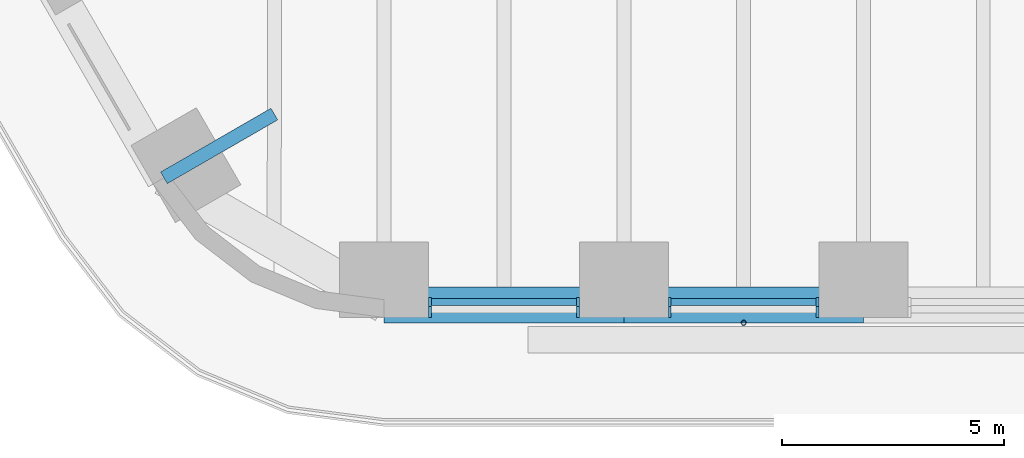
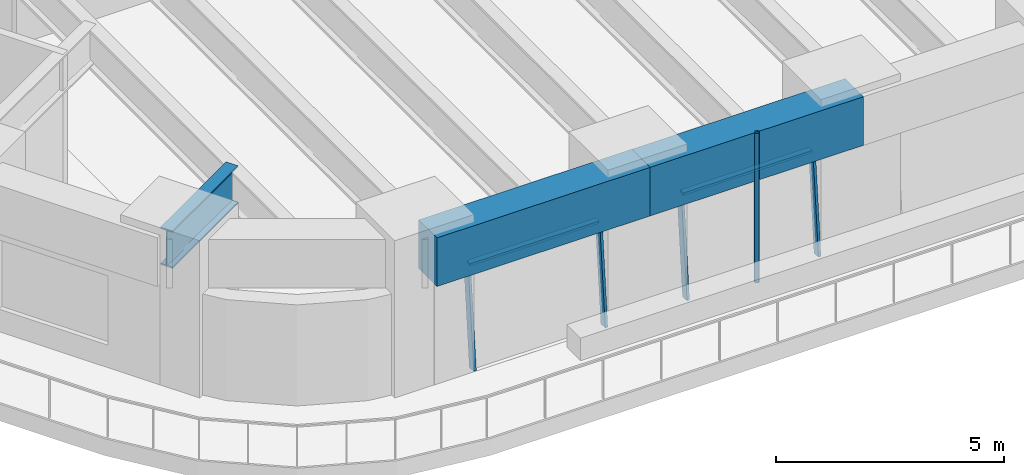
# One storey, part 2 of 23: 7 members, 3 beams, 2 elements without a shape of their own.
"""IFC4 building model written with IfcOpenShell, lengths in metres."""

from ifc_helpers import new_model, si_unit, direction, frame, origin, origin_2d, place, context, subcontext, project, spatial, rectangle, hollow_circle, i_section, extrude, material, material_profile, profile_set, type_object, element, aggregate, save


model = new_model("IFC4")

# Units and contexts
model_context = context("Model", 3, precision=1e-05, world=origin(), true_north=direction((0.0, 1.0)))
body_context = subcontext(model_context, "Body", "Model", "MODEL_VIEW")
ifc_project = project(units=[si_unit("LENGTHUNIT", "METRE"), si_unit("AREAUNIT", "SQUARE_METRE"), si_unit("VOLUMEUNIT", "CUBIC_METRE"), si_unit("PLANEANGLEUNIT", "RADIAN"), si_unit("MASSUNIT", "GRAM", prefix="KILO")], contexts=[model_context])

# Site, building, storey
site_placement = place(None, origin())
site = spatial("IfcSite", under=ifc_project, at=site_placement, CompositionType="ELEMENT")
building_placement = place(site_placement, origin())
building = spatial("IfcBuilding", under=site, at=building_placement, Name="Tarfa Lantern Tower", CompositionType="ELEMENT")
storey_placement = place(building_placement, frame((0.0, 0.0, 82.300048828125)))
storey = spatial("IfcBuildingStorey", under=building, at=storey_placement, Name="L18", CompositionType="ELEMENT", Elevation=82.300048828125)

# Curtain wall, members
ifc_material_1 = material(Name="Aluminium framed curtain wall", Category="aluminium")
curtain_wall_type = type_object("IfcCurtainWallType", Name="CW1 CANTED GLAZING LOW ZONE 2700", PredefinedType="USERDEFINED", material=ifc_material_1)
curtain_wall_1_placement = place(storey_placement, origin())
curtain_wall_1 = element("IfcCurtainWall", 1, at=curtain_wall_1_placement, inside=storey, type_object=curtain_wall_type, Name="CW1 S L18", ObjectType="CURTAIN WALL", PredefinedType="USERDEFINED")
ifc_material_2 = material(Name="Aluminium mullion", Category="aluminium")
ifc_material_profile_1 = material_profile(ifc_material_2, rectangle(XDim=0.06494140625, YDim=0.199951171875, at=origin_2d()), Name="AL MULLION 65x200")
ifc_profile_set_1 = profile_set([ifc_material_profile_1], Name="Aluminium mullion")
member_type_1 = type_object("IfcMemberType", Name="CWM1 MULLION 65x200", PredefinedType="MULLION", material=ifc_profile_set_1)
member_1_placement = place(storey_placement, frame((-15.13330078125, -33.89990234375, 0.0), z_axis=(0.0, 0.092199863775, 0.995740520979), x_axis=(-1.0, 0.0, 0.0)))
member_1 = element("IfcMember", 2, at=member_1_placement, type_object=member_type_1, Name="CW1 mullion 1", PredefinedType="MULLION", context=body_context, shape_type="SweptSolid", body=[
    extrude(rectangle(XDim=0.06494140625, YDim=0.199951171875, at=origin_2d()), origin(), (0.0, 0.0, 1.0), 2.71142578125),
])
member_2_placement = place(storey_placement, frame((-11.809814453125, -33.89990234375, 0.0), z_axis=(0.0, 0.092199863775, 0.995740520979), x_axis=(-1.0, 0.0, 0.0)))
member_2 = element("IfcMember", 3, at=member_2_placement, type_object=member_type_1, Name="CW1 mullion 2", PredefinedType="MULLION", context=body_context, shape_type="SweptSolid", body=[
    extrude(rectangle(XDim=0.06494140625, YDim=0.199951171875, at=origin_2d()), origin(), (0.0, 0.0, 1.0), 2.71142578125),
])

curtain_wall_2_placement = place(storey_placement, origin())
curtain_wall_2 = element("IfcCurtainWall", 4, at=curtain_wall_2_placement, inside=storey, type_object=curtain_wall_type, Name="CW1 S L18", ObjectType="CURTAIN WALL", PredefinedType="USERDEFINED")
member_3_placement = place(storey_placement, frame((-9.74462890625, -33.89990234375, 0.0), z_axis=(0.0, 0.092199863775, 0.995740520979), x_axis=(-1.0, 0.0, 0.0)))
member_3 = element("IfcMember", 5, at=member_3_placement, type_object=member_type_1, Name="CW1 mullion 1", PredefinedType="MULLION", context=body_context, shape_type="SweptSolid", body=[
    extrude(rectangle(XDim=0.06494140625, YDim=0.199951171875, at=origin_2d()), origin(), (0.0, 0.0, 1.0), 2.71142578125),
])
member_4_placement = place(storey_placement, frame((-6.421142578125, -33.89990234375, 0.0), z_axis=(0.0, 0.092199863775, 0.995740520979), x_axis=(-1.0, 0.0, 0.0)))
member_4 = element("IfcMember", 6, at=member_4_placement, type_object=member_type_1, Name="CW1 mullion 2", PredefinedType="MULLION", context=body_context, shape_type="SweptSolid", body=[
    extrude(rectangle(XDim=0.06494140625, YDim=0.199951171875, at=origin_2d()), origin(), (0.0, 0.0, 1.0), 2.71142578125),
])

# Member
ifc_material_3 = material(Name="Aluminium transom", Category="aluminium")
ifc_material_profile_2 = material_profile(ifc_material_3, rectangle(XDim=0.14990234375, YDim=0.06494140625, at=origin_2d()), Name="AL TRANSOM 150x65")
ifc_profile_set_2 = profile_set([ifc_material_profile_2], Name="Aluminium transom")
member_type_2 = type_object("IfcMemberType", Name="CWT1 TRANSOM 150x65", PredefinedType="USERDEFINED", material=ifc_profile_set_2)
member_5_placement = place(storey_placement, frame((-15.100830078125, -33.653076171875, 2.66748046875), z_axis=(1.0, 0.0, 0.0), x_axis=(0.0, 1.0, 0.0)))
member_5 = element("IfcMember", 7, at=member_5_placement, type_object=member_type_2, Name="CW1 transom 1.2", ObjectType="TRANSOM", PredefinedType="USERDEFINED", context=body_context, shape_type="SweptSolid", body=[
    extrude(rectangle(XDim=0.14990234375, YDim=0.06494140625, at=origin_2d()), origin(), (0.0, 0.0, 1.0), 3.258544921875),
])

aggregate(curtain_wall_1, [member_1, member_2, member_5])

member_6_placement = place(storey_placement, frame((-9.712158203125, -33.653076171875, 2.66748046875), z_axis=(1.0, 0.0, 0.0), x_axis=(0.0, 1.0, 0.0)))
member_6 = element("IfcMember", 8, at=member_6_placement, type_object=member_type_2, Name="CW1 transom 1.2", ObjectType="TRANSOM", PredefinedType="USERDEFINED", context=body_context, shape_type="SweptSolid", body=[
    extrude(rectangle(XDim=0.14990234375, YDim=0.06494140625, at=origin_2d()), origin(), (0.0, 0.0, 1.0), 3.258544921875),
])

aggregate(curtain_wall_2, [member_3, member_4, member_6])

# Beams
ifc_material_4 = material(Name="Concrete C80/95", Category="concrete")
ifc_material_profile_3 = material_profile(ifc_material_4, rectangle(XDim=0.800048828125, YDim=1.300048828125, at=origin_2d()), Name="RC 800x1300")
ifc_profile_set_3 = profile_set([ifc_material_profile_3], Name="Concrete C80/95")
beam_type_1 = type_object("IfcBeamType", Name="EB1 RC 800x1300", PredefinedType="SPANDREL", material=ifc_profile_set_3)
beam_1_placement = place(storey_placement, frame((-16.165771484375, -33.719970703125, 3.349853515625), z_axis=(1.0, 0.0, 0.0), x_axis=(0.0, 1.0, 0.0)))
element("IfcBeam", 9, at=beam_1_placement, inside=storey, type_object=beam_type_1, Name="Edge beam S0", PredefinedType="SPANDREL", context=body_context, shape_type="SweptSolid", body=[
    extrude(rectangle(XDim=0.800048828125, YDim=1.300048828125, at=origin_2d()), origin(), (0.0, 0.0, 1.0), 5.388671875),
])
beam_2_placement = place(storey_placement, frame((-10.777099609375, -33.719970703125, 3.349853515625), z_axis=(1.0, 0.0, 0.0), x_axis=(0.0, 1.0, 0.0)))
element("IfcBeam", 10, at=beam_2_placement, inside=storey, type_object=beam_type_1, Name="Edge beam S1", PredefinedType="SPANDREL", context=body_context, shape_type="SweptSolid", body=[
    extrude(rectangle(XDim=0.800048828125, YDim=1.300048828125, at=origin_2d()), origin(), (0.0, 0.0, 1.0), 5.388427734375),
])

# Member
ifc_material_5 = material(Name="Steel S355", Category="steel")
ifc_material_profile_4 = material_profile(ifc_material_5, hollow_circle(Radius=0.05712890625, WallThickness=0.00634765625, at=origin_2d()), Name="CHS114.3x6.3")
ifc_profile_set_4 = profile_set([ifc_material_profile_4], Name="Steel S355")
member_type_3 = type_object("IfcMemberType", Name="TR1 GREEN WALL TRELLIS CHS114.3x6.3", PredefinedType="USERDEFINED", material=ifc_profile_set_4)
member_7_placement = place(storey_placement, frame((-8.0830078125, -34.1201171875, 0.0), z_axis=(0.0, 0.0, 1.0), x_axis=(1.0, 0.0, 0.0)))
element("IfcMember", 11, at=member_7_placement, inside=storey, type_object=member_type_3, Name="Trellis post S 1", ObjectType="TRELLIS", PredefinedType="USERDEFINED", context=body_context, shape_type="SweptSolid", body=[
    extrude(hollow_circle(Radius=0.05712890625, WallThickness=0.00634765625, at=origin_2d()), origin(), (0.0, 0.0, 1.0), 4.0),
])

# Beam
ifc_material_6 = material(Name="Steel S460M", Category="steel")
ifc_material_profile_5 = material_profile(ifc_material_6, i_section(OverallWidth=0.302001953125, OverallDepth=1.008056640625, WebThickness=0.02099609375, FlangeThickness=0.0400390625, FilletRadius=0.030029296875, at=origin_2d()), Name="UB1016x305x349")
ifc_profile_set_5 = profile_set([ifc_material_profile_5], Name="Steel S460M")
beam_type_2 = type_object("IfcBeamType", Name="UB1016x305x349", PredefinedType="BEAM", material=ifc_profile_set_5)
beam_3_placement = place(storey_placement, frame((-21.119384765625, -30.860107421875, 3.495849609375), z_axis=(0.866012580594, 0.500022209759, 0.0), x_axis=(-0.500022209759, 0.866012580594, 0.0)))
element("IfcBeam", 12, at=beam_3_placement, inside=storey, type_object=beam_type_2, Name="Floor beam SW6", PredefinedType="BEAM", context=body_context, shape_type="SweptSolid", body=[
    extrude(i_section(OverallWidth=0.302001953125, OverallDepth=1.008056640625, WebThickness=0.02099609375, FlangeThickness=0.0400390625, FilletRadius=0.030029296875, at=origin_2d()), origin(), (0.0, 0.0, 1.0), 2.866943359375),
])

save(model, "model.ifc")
